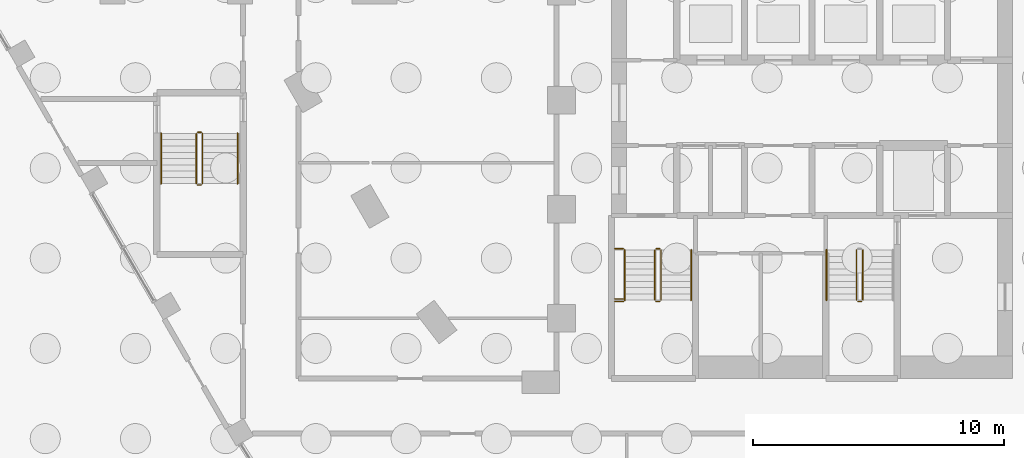
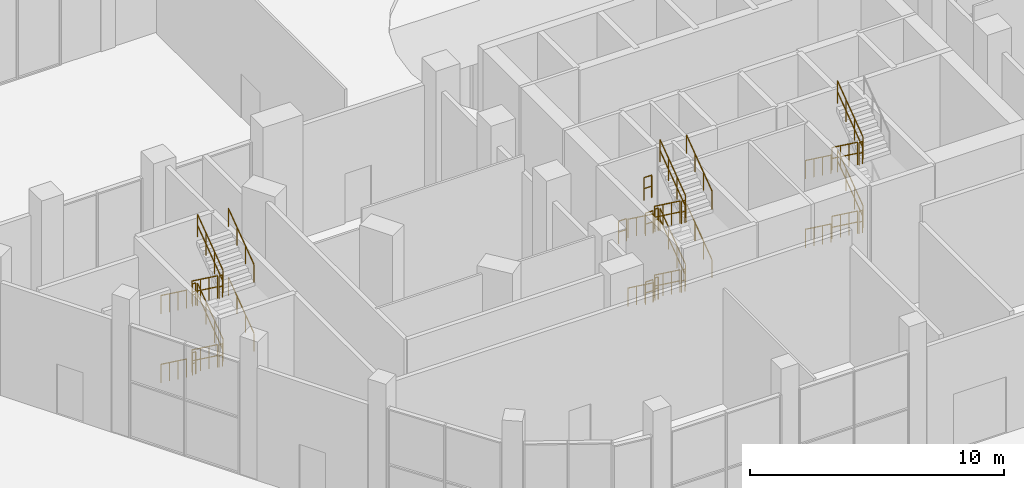
# One storey, part 38 of 44: 36 railings.
"""IFC4 building model written with IfcOpenShell, lengths in metres."""

import ifcopenshell
import ifcopenshell.guid

model = None  # the IFC model being written
_history = None  # IfcOwnerHistory: only IFC2X3 demands one
_inside = {}  # id of a spatial element -> (the spatial element, [elements in it])
_under = {}  # id of a project, library or spatial element -> (it, [spatial elements below it])
_declared = {}  # id of a project -> (the project, [libraries it declares])
_typed = {}  # id of a type object -> (the type object, [elements of that type])
_made_of = {}  # id of a material, layer set ... -> (it, [elements and type objects made of it])


def new_model(schema):
    """Start an empty IFC model of exactly this schema.

    Asked for "IFC4X3", IfcOpenShell would pick the latest addendum, in which some entities
    have other attributes; the version numbers below select the first issue.
    IFC2X3 requires an IfcOwnerHistory on every rooted entity: one is made here for all.
    """
    global model, _history
    if schema == "IFC4X3":
        model = ifcopenshell.file(schema_version=(4, 3, 0, 0))
    else:
        model = ifcopenshell.file(schema=schema)
    _inside.clear()
    _under.clear()
    _declared.clear()
    _typed.clear()
    _made_of.clear()
    _history = None
    if model.schema == "IFC2X3":
        org = make("IfcOrganization", Name="unknown")
        user = make(
            "IfcPersonAndOrganization",
            ThePerson=make("IfcPerson", FamilyName="unknown"),
            TheOrganization=org,
        )
        app = make(
            "IfcApplication",
            ApplicationDeveloper=org,
            Version="unknown",
            ApplicationFullName="unknown",
            ApplicationIdentifier="unknown",
        )
        _history = make(
            "IfcOwnerHistory",
            OwningUser=user,
            OwningApplication=app,
            ChangeAction="ADDED",
            CreationDate=0,
        )
    return model


def make(cls, **values):
    """One entity of the class cls with the attributes given. An attribute that is None is left unset."""
    return model.create_entity(
        cls, **{name: value for name, value in values.items() if value is not None}
    )


def rooted(cls, **values):
    """An entity with a GlobalId (a new one), such as an element, a storey or a relation."""
    return make(cls, GlobalId=ifcopenshell.guid.new(), OwnerHistory=_history, **values)


def si_unit(unit_type, name, prefix=None):
    """IfcSIUnit, for example si_unit("LENGTHUNIT", "METRE", prefix="MILLI")."""
    return make("IfcSIUnit", UnitType=unit_type, Prefix=prefix, Name=name)


def assignment(units):
    """IfcUnitAssignment: the units of a project."""
    return None if units is None else make("IfcUnitAssignment", Units=units)


def point(xyz):
    """IfcCartesianPoint."""
    return None if xyz is None else make("IfcCartesianPoint", Coordinates=xyz)


def direction(xyz):
    """IfcDirection."""
    return None if xyz is None else make("IfcDirection", DirectionRatios=xyz)


def frame(location, z_axis=None, x_axis=None):
    """IfcAxis2Placement3D, a coordinate frame: its origin and axes. An axis left out is left unset."""
    return make(
        "IfcAxis2Placement3D",
        Location=point(location),
        Axis=direction(z_axis),
        RefDirection=direction(x_axis),
    )


def frame_2d(location, x_axis=None):
    """IfcAxis2Placement2D, a coordinate frame in the plane: its origin and x axis."""
    return make(
        "IfcAxis2Placement2D", Location=point(location), RefDirection=direction(x_axis)
    )


def origin():
    """The frame at (0, 0, 0) with its axes left unset."""
    return frame((0.0, 0.0, 0.0))


def origin_2d():
    """The frame at (0, 0) in the plane with its x axis left unset."""
    return frame_2d((0.0, 0.0))


def place(relative_to, where):
    """IfcLocalPlacement: puts the frame where relative to a parent placement (None: the world)."""
    return make(
        "IfcLocalPlacement", PlacementRelTo=relative_to, RelativePlacement=where
    )


def context(
    kind, dimensions, precision=None, world=None, true_north=None, identifier=None
):
    """IfcGeometricRepresentationContext, for example the 3D "Model" context."""
    return make(
        "IfcGeometricRepresentationContext",
        ContextIdentifier=identifier,
        ContextType=kind,
        CoordinateSpaceDimension=dimensions,
        Precision=precision,
        WorldCoordinateSystem=world,
        TrueNorth=true_north,
    )


def subcontext(parent, identifier, kind, view, scale=None):
    """IfcGeometricRepresentationSubContext, for example "Body" below "Model"."""
    return make(
        "IfcGeometricRepresentationSubContext",
        ContextIdentifier=identifier,
        ContextType=kind,
        ParentContext=parent,
        TargetScale=scale,
        TargetView=view,
    )


def project(units=None, contexts=None):
    """IfcProject with its units and contexts."""
    return rooted(
        "IfcProject",
        Name="project",
        RepresentationContexts=contexts,
        UnitsInContext=assignment(units),
    )


def spatial(cls, under=None, at=None, **own):
    """A site, building, storey or space (cls), placed at a placement, below another one or the project."""
    s = rooted(cls, ObjectPlacement=at, **own)
    if under is not None:
        _under.setdefault(under.id(), (under, []))[1].append(s)
    return s


def profile(cls, at=None, kind="AREA", **sizes):
    """A parametric profile (cls). Its sizes go by their IFC names, for example OverallWidth=200.0."""
    return make(cls, ProfileType=kind, Position=at, **sizes)


def circle(**sizes):
    """IfcCircleProfileDef."""
    return profile("IfcCircleProfileDef", **sizes)


def extrude(swept, where, along, depth):
    """IfcExtrudedAreaSolid: the profile swept, set in the frame where, extruded along a direction by depth."""
    return make(
        "IfcExtrudedAreaSolid",
        SweptArea=swept,
        Position=where,
        ExtrudedDirection=direction(along),
        Depth=depth,
    )


def shape(context_of_items, identifier, shape_type, items):
    """IfcShapeRepresentation: the items that make up one representation, for example the "Body"."""
    return make(
        "IfcShapeRepresentation",
        ContextOfItems=context_of_items,
        RepresentationIdentifier=identifier,
        RepresentationType=shape_type,
        Items=items,
    )


def material(Name=None, Category=None):
    """IfcMaterial."""
    return make("IfcMaterial", Name=Name, Category=Category)


def made_of(thing, what):
    """Note that an element or type object is made of a material, layer set ...; save() writes the relation."""
    if what is not None:
        _made_of.setdefault(what.id(), (what, []))[1].append(thing)
    return thing


def type_object(cls, material=None, **own):
    """A type object (cls), such as IfcWallType, which elements share."""
    return made_of(rooted(cls, **own), material)


def element(
    cls,
    number,
    at=None,
    inside=None,
    cuts=None,
    type_object=None,
    material=None,
    context=None,
    identifier="Body",
    shape_type=None,
    held_by="IfcProductDefinitionShape",
    body=None,
    shapes=None,
    **own,
):
    """One element of the class cls, such as IfcWall. Its Tag is "e" and its number.

    at: its placement. inside: the storey or other place that contains it. cuts: it is an
    opening in that element (IfcRelVoidsElement). A single representation is given by context,
    identifier, shape_type and body (its items); several are given by shapes. held_by: the class
    of the entity that holds the representations. save() writes the other relations.
    """
    e = rooted(cls, Tag="e%d" % number, ObjectPlacement=at, **own)
    if body is not None:
        shapes = [shape(context, identifier, shape_type, body)]
    if shapes is not None:
        e.Representation = make(held_by, Representations=shapes)
    if inside is not None:
        _inside.setdefault(inside.id(), (inside, []))[1].append(e)
    if cuts is not None:
        rooted(
            "IfcRelVoidsElement", RelatingBuildingElement=cuts, RelatedOpeningElement=e
        )
    if type_object is not None:
        _typed.setdefault(type_object.id(), (type_object, []))[1].append(e)
    return made_of(e, material)


def aggregate(whole, parts):
    """IfcRelAggregates: a whole, such as a stair, and the parts it consists of."""
    return rooted("IfcRelAggregates", RelatingObject=whole, RelatedObjects=parts)


def save(model, path):
    """Write the relations noted so far, then the file.

    IfcRelAggregates (storeys below a building ...), IfcRelContainedInSpatialStructure (elements
    in a storey), IfcRelDefinesByType, IfcRelAssociatesMaterial and IfcRelDeclares: one each for
    every whole, place, type object, material and project.
    """
    for whole, parts in _under.values():
        aggregate(whole, parts)
    for where, things in _inside.values():
        rooted(
            "IfcRelContainedInSpatialStructure",
            RelatedElements=things,
            RelatingStructure=where,
        )
    for kind, things in _typed.values():
        rooted("IfcRelDefinesByType", RelatedObjects=things, RelatingType=kind)
    for what, things in _made_of.values():
        rooted("IfcRelAssociatesMaterial", RelatedObjects=things, RelatingMaterial=what)
    for by, libraries in _declared.values():
        rooted("IfcRelDeclares", RelatingContext=by, RelatedDefinitions=libraries)
    model.write(path)


model = new_model("IFC4")

# Units and contexts
model_context = context("Model", 3, precision=1e-05, world=origin(), true_north=direction((0.0, 1.0)))
body_context = subcontext(model_context, "Body", "Model", "MODEL_VIEW")
ifc_project = project(units=[si_unit("LENGTHUNIT", "METRE"), si_unit("AREAUNIT", "SQUARE_METRE"), si_unit("VOLUMEUNIT", "CUBIC_METRE"), si_unit("PLANEANGLEUNIT", "RADIAN"), si_unit("MASSUNIT", "GRAM", prefix="KILO")], contexts=[model_context])

# Site, building, storey
site_placement = place(None, origin())
site = spatial("IfcSite", under=ifc_project, at=site_placement, CompositionType="ELEMENT")
building_placement = place(site_placement, origin())
building = spatial("IfcBuilding", under=site, at=building_placement, Name="Nakaniwa Court", CompositionType="ELEMENT")
storey_placement = place(building_placement, origin())
storey = spatial("IfcBuildingStorey", under=building, at=storey_placement, Name="L00", CompositionType="ELEMENT", Elevation=0.0)

# Railings
ifc_material_1 = material(Name="Black powder coated steel guard", Category="steel")
railing_type_1 = type_object("IfcRailingType", Name="Stair guard 1100", PredefinedType="GUARDRAIL", material=ifc_material_1)
railing_1_placement = place(storey_placement, frame((73.72509765625, 61.72509765625, 0.183349609375)))
element("IfcRailing", 1, at=railing_1_placement, inside=storey, type_object=railing_type_1, Name="L00 ST3 stair guard 1", PredefinedType="GUARDRAIL", context=body_context, shape_type="SweptSolid", body=[
    extrude(circle(Radius=0.02392578125, at=origin_2d()), frame((0.0, 0.0, 1.076171875), z_axis=(0.0, -0.806426902644, 0.591333789573), x_axis=(1.0, 0.0, 0.0)), (0.0, 0.0, 1.0), 2.47998046875),
    extrude(circle(Radius=0.02392578125, at=origin_2d()), frame((0.0, 0.0, 0.550048828125), z_axis=(0.0, -0.806426902644, 0.591333789573), x_axis=(1.0, 0.0, 0.0)), (0.0, 0.0, 1.0), 2.47998046875),
    extrude(circle(Radius=0.02099609375, at=origin_2d()), origin(), (0.0, 0.0, 1.0), 1.052001953125),
    extrude(circle(Radius=0.02099609375, at=origin_2d()), frame((0.0, -0.666748046875, 0.48876953125)), (0.0, 0.0, 1.0), 1.052001953125),
    extrude(circle(Radius=0.02099609375, at=origin_2d()), frame((0.0, -1.333251953125, 0.977783203125)), (0.0, 0.0, 1.0), 1.052001953125),
    extrude(circle(Radius=0.02099609375, at=origin_2d()), frame((0.0, -2.0, 1.466552734375)), (0.0, 0.0, 1.0), 1.052001953125),
])
railing_2_placement = place(storey_placement, frame((73.77490234375, 59.675048828125, 1.64990234375)))
element("IfcRailing", 2, at=railing_2_placement, inside=storey, type_object=railing_type_1, Name="L00 ST3 stair guard 2", PredefinedType="GUARDRAIL", context=body_context, shape_type="SweptSolid", body=[
    extrude(circle(Radius=0.02392578125, at=origin_2d()), frame((0.0, 0.0, 1.076171875), z_axis=(1.0, 0.0, 0.0), x_axis=(0.0, 1.0, 0.0)), (0.0, 0.0, 1.0), 0.150146484375),
    extrude(circle(Radius=0.02392578125, at=origin_2d()), frame((0.0, 0.0, 0.550048828125), z_axis=(1.0, 0.0, 0.0), x_axis=(0.0, 1.0, 0.0)), (0.0, 0.0, 1.0), 0.150146484375),
    extrude(circle(Radius=0.02099609375, at=origin_2d()), origin(), (0.0, 0.0, 1.0), 1.052001953125),
    extrude(circle(Radius=0.02099609375, at=origin_2d()), frame((0.150146484375, 0.0, 0.0)), (0.0, 0.0, 1.0), 1.052001953125),
])
railing_3_placement = place(storey_placement, frame((73.97509765625, 59.72509765625, 1.833251953125)))
element("IfcRailing", 3, at=railing_3_placement, inside=storey, type_object=railing_type_1, Name="L00 ST3 stair guard 3", PredefinedType="GUARDRAIL", context=body_context, shape_type="SweptSolid", body=[
    extrude(circle(Radius=0.02392578125, at=origin_2d()), frame((0.0, 0.0, 1.076171875), z_axis=(0.0, 0.806379959628, 0.591397802423), x_axis=(-1.0, 0.0, 0.0)), (0.0, 0.0, 1.0), 2.480224609375),
    extrude(circle(Radius=0.02392578125, at=origin_2d()), frame((0.0, 0.0, 0.550048828125), z_axis=(0.0, 0.806379959628, 0.591397802423), x_axis=(-1.0, 0.0, 0.0)), (0.0, 0.0, 1.0), 2.480224609375),
    extrude(circle(Radius=0.02099609375, at=origin_2d()), origin(), (0.0, 0.0, 1.0), 1.052001953125),
    extrude(circle(Radius=0.02099609375, at=origin_2d()), frame((0.0, 0.666748046875, 0.489013671875)), (0.0, 0.0, 1.0), 1.052001953125),
    extrude(circle(Radius=0.02099609375, at=origin_2d()), frame((0.0, 1.333251953125, 0.977783203125)), (0.0, 0.0, 1.0), 1.052001953125),
    extrude(circle(Radius=0.02099609375, at=origin_2d()), frame((0.0, 2.0, 1.466796875)), (0.0, 0.0, 1.0), 1.052001953125),
])
railing_4_placement = place(storey_placement, frame((73.77490234375, 61.77490234375, 3.300048828125)))
element("IfcRailing", 4, at=railing_4_placement, inside=storey, type_object=railing_type_1, Name="L00 ST3 stair guard 4", PredefinedType="GUARDRAIL", context=body_context, shape_type="SweptSolid", body=[
    extrude(circle(Radius=0.02392578125, at=origin_2d()), frame((0.0, 0.0, 1.076171875), z_axis=(1.0, 0.0, 0.0), x_axis=(0.0, 1.0, 0.0)), (0.0, 0.0, 1.0), 0.150146484375),
    extrude(circle(Radius=0.02392578125, at=origin_2d()), frame((0.0, 0.0, 0.550048828125), z_axis=(1.0, 0.0, 0.0), x_axis=(0.0, 1.0, 0.0)), (0.0, 0.0, 1.0), 0.150146484375),
    extrude(circle(Radius=0.02099609375, at=origin_2d()), origin(), (0.0, 0.0, 1.0), 1.052001953125),
    extrude(circle(Radius=0.02099609375, at=origin_2d()), frame((0.150146484375, 0.0, 0.0)), (0.0, 0.0, 1.0), 1.052001953125),
])
railing_5_placement = place(storey_placement, frame((73.72509765625, 61.72509765625, 3.4833984375)))
element("IfcRailing", 5, at=railing_5_placement, inside=storey, type_object=railing_type_1, Name="L00 ST3 stair guard 5", PredefinedType="GUARDRAIL", context=body_context, shape_type="SweptSolid", body=[
    extrude(circle(Radius=0.02392578125, at=origin_2d()), frame((0.0, 0.0, 1.076171875), z_axis=(0.0, -0.806426902644, 0.591333789573), x_axis=(1.0, 0.0, 0.0)), (0.0, 0.0, 1.0), 2.47998046875),
    extrude(circle(Radius=0.02392578125, at=origin_2d()), frame((0.0, 0.0, 0.550048828125), z_axis=(0.0, -0.806426902644, 0.591333789573), x_axis=(1.0, 0.0, 0.0)), (0.0, 0.0, 1.0), 2.47998046875),
    extrude(circle(Radius=0.02099609375, at=origin_2d()), origin(), (0.0, 0.0, 1.0), 1.052001953125),
    extrude(circle(Radius=0.02099609375, at=origin_2d()), frame((0.0, -0.666748046875, 0.48876953125)), (0.0, 0.0, 1.0), 1.052001953125),
    extrude(circle(Radius=0.02099609375, at=origin_2d()), frame((0.0, -1.333251953125, 0.977783203125)), (0.0, 0.0, 1.0), 1.052001953125),
    extrude(circle(Radius=0.02099609375, at=origin_2d()), frame((0.0, -2.0, 1.466552734375)), (0.0, 0.0, 1.0), 1.052001953125),
])
railing_6_placement = place(storey_placement, frame((73.77490234375, 59.675048828125, 4.949951171875)))
element("IfcRailing", 6, at=railing_6_placement, inside=storey, type_object=railing_type_1, Name="L00 ST3 stair guard 6", PredefinedType="GUARDRAIL", context=body_context, shape_type="SweptSolid", body=[
    extrude(circle(Radius=0.02392578125, at=origin_2d()), frame((0.0, 0.0, 1.076171875), z_axis=(1.0, 0.0, 0.0), x_axis=(0.0, 1.0, 0.0)), (0.0, 0.0, 1.0), 0.150146484375),
    extrude(circle(Radius=0.02392578125, at=origin_2d()), frame((0.0, 0.0, 0.550048828125), z_axis=(1.0, 0.0, 0.0), x_axis=(0.0, 1.0, 0.0)), (0.0, 0.0, 1.0), 0.150146484375),
    extrude(circle(Radius=0.02099609375, at=origin_2d()), origin(), (0.0, 0.0, 1.0), 1.052001953125),
    extrude(circle(Radius=0.02099609375, at=origin_2d()), frame((0.150146484375, 0.0, 0.0)), (0.0, 0.0, 1.0), 1.052001953125),
])
railing_7_placement = place(storey_placement, frame((73.97509765625, 59.72509765625, 5.13330078125)))
element("IfcRailing", 7, at=railing_7_placement, inside=storey, type_object=railing_type_1, Name="L00 ST3 stair guard 7", PredefinedType="GUARDRAIL", context=body_context, shape_type="SweptSolid", body=[
    extrude(circle(Radius=0.02392578125, at=origin_2d()), frame((0.0, 0.0, 1.076171875), z_axis=(0.0, 0.806379959628, 0.591397802423), x_axis=(-1.0, 0.0, 0.0)), (0.0, 0.0, 1.0), 2.480224609375),
    extrude(circle(Radius=0.02392578125, at=origin_2d()), frame((0.0, 0.0, 0.550048828125), z_axis=(0.0, 0.806379959628, 0.591397802423), x_axis=(-1.0, 0.0, 0.0)), (0.0, 0.0, 1.0), 2.480224609375),
    extrude(circle(Radius=0.02099609375, at=origin_2d()), origin(), (0.0, 0.0, 1.0), 1.052001953125),
    extrude(circle(Radius=0.02099609375, at=origin_2d()), frame((0.0, 0.666748046875, 0.489013671875)), (0.0, 0.0, 1.0), 1.052001953125),
    extrude(circle(Radius=0.02099609375, at=origin_2d()), frame((0.0, 1.333251953125, 0.977783203125)), (0.0, 0.0, 1.0), 1.052001953125),
    extrude(circle(Radius=0.02099609375, at=origin_2d()), frame((0.0, 2.0, 1.466796875)), (0.0, 0.0, 1.0), 1.052001953125),
])
railing_8_placement = place(storey_placement, frame((73.77490234375, 61.77490234375, 0.0)))
element("IfcRailing", 8, at=railing_8_placement, inside=storey, type_object=railing_type_1, Name="L00 ST3 stair guard 8", PredefinedType="GUARDRAIL", context=body_context, shape_type="SweptSolid", body=[
    extrude(circle(Radius=0.02392578125, at=origin_2d()), frame((0.0, 0.0, 1.076171875), z_axis=(1.0, 0.0, 0.0), x_axis=(0.0, 1.0, 0.0)), (0.0, 0.0, 1.0), 0.150146484375),
    extrude(circle(Radius=0.02392578125, at=origin_2d()), frame((0.0, 0.0, 0.550048828125), z_axis=(1.0, 0.0, 0.0), x_axis=(0.0, 1.0, 0.0)), (0.0, 0.0, 1.0), 0.150146484375),
    extrude(circle(Radius=0.02099609375, at=origin_2d()), origin(), (0.0, 0.0, 1.0), 1.052001953125),
    extrude(circle(Radius=0.02099609375, at=origin_2d()), frame((0.150146484375, 0.0, 0.0)), (0.0, 0.0, 1.0), 1.052001953125),
])
for number, where, name in (
    (9, (72.125, 59.675048828125, 1.64990234375), "L00 ST3 landing side guard 1W"),
    (10, (72.125, 61.77490234375, 3.300048828125), "L00 ST3 landing side guard 2W"),
    (11, (72.125, 59.675048828125, 4.949951171875), "L00 ST3 landing side guard 3W"),
    (12, (72.125, 59.77490234375, 6.60009765625), "L00 ST3 floor edge guard 3W"),
):
    element("IfcRailing", number, at=place(storey_placement, frame(where)), inside=storey, type_object=railing_type_1, Name=name, PredefinedType="GUARDRAIL", context=body_context, shape_type="SweptSolid", body=[
        extrude(circle(Radius=0.02392578125, at=origin_2d()), frame((0.0, 0.0, 1.076171875), z_axis=(1.0, 0.0, 0.0), x_axis=(0.0, 1.0, 0.0)), (0.0, 0.0, 1.0), 0.35009765625),
        extrude(circle(Radius=0.02392578125, at=origin_2d()), frame((0.0, 0.0, 0.550048828125), z_axis=(1.0, 0.0, 0.0), x_axis=(0.0, 1.0, 0.0)), (0.0, 0.0, 1.0), 0.35009765625),
        extrude(circle(Radius=0.02099609375, at=origin_2d()), origin(), (0.0, 0.0, 1.0), 1.052001953125),
        extrude(circle(Radius=0.02099609375, at=origin_2d()), frame((0.35009765625, 0.0, 0.0)), (0.0, 0.0, 1.0), 1.052001953125),
    ])
railing_9_placement = place(storey_placement, frame((81.77490234375, 61.72509765625, 0.183349609375)))
element("IfcRailing", 13, at=railing_9_placement, inside=storey, type_object=railing_type_1, Name="L00 ST4 stair guard 1", PredefinedType="GUARDRAIL", context=body_context, shape_type="SweptSolid", body=[
    extrude(circle(Radius=0.02392578125, at=origin_2d()), frame((0.0, 0.0, 1.076171875), z_axis=(0.0, -0.806426902644, 0.591333789573), x_axis=(1.0, 0.0, 0.0)), (0.0, 0.0, 1.0), 2.47998046875),
    extrude(circle(Radius=0.02392578125, at=origin_2d()), frame((0.0, 0.0, 0.550048828125), z_axis=(0.0, -0.806426902644, 0.591333789573), x_axis=(1.0, 0.0, 0.0)), (0.0, 0.0, 1.0), 2.47998046875),
    extrude(circle(Radius=0.02099609375, at=origin_2d()), origin(), (0.0, 0.0, 1.0), 1.052001953125),
    extrude(circle(Radius=0.02099609375, at=origin_2d()), frame((0.0, -0.666748046875, 0.48876953125)), (0.0, 0.0, 1.0), 1.052001953125),
    extrude(circle(Radius=0.02099609375, at=origin_2d()), frame((0.0, -1.333251953125, 0.977783203125)), (0.0, 0.0, 1.0), 1.052001953125),
    extrude(circle(Radius=0.02099609375, at=origin_2d()), frame((0.0, -2.0, 1.466552734375)), (0.0, 0.0, 1.0), 1.052001953125),
])
railing_10_placement = place(storey_placement, frame((81.824951171875, 59.675048828125, 1.64990234375)))
element("IfcRailing", 14, at=railing_10_placement, inside=storey, type_object=railing_type_1, Name="L00 ST4 stair guard 2", PredefinedType="GUARDRAIL", context=body_context, shape_type="SweptSolid", body=[
    extrude(circle(Radius=0.02392578125, at=origin_2d()), frame((0.0, 0.0, 1.076171875), z_axis=(1.0, 0.0, 0.0), x_axis=(0.0, 1.0, 0.0)), (0.0, 0.0, 1.0), 0.150146484375),
    extrude(circle(Radius=0.02392578125, at=origin_2d()), frame((0.0, 0.0, 0.550048828125), z_axis=(1.0, 0.0, 0.0), x_axis=(0.0, 1.0, 0.0)), (0.0, 0.0, 1.0), 0.150146484375),
    extrude(circle(Radius=0.02099609375, at=origin_2d()), origin(), (0.0, 0.0, 1.0), 1.052001953125),
    extrude(circle(Radius=0.02099609375, at=origin_2d()), frame((0.150146484375, 0.0, 0.0)), (0.0, 0.0, 1.0), 1.052001953125),
])
railing_11_placement = place(storey_placement, frame((82.02490234375, 59.72509765625, 1.833251953125)))
element("IfcRailing", 15, at=railing_11_placement, inside=storey, type_object=railing_type_1, Name="L00 ST4 stair guard 3", PredefinedType="GUARDRAIL", context=body_context, shape_type="SweptSolid", body=[
    extrude(circle(Radius=0.02392578125, at=origin_2d()), frame((0.0, 0.0, 1.076171875), z_axis=(0.0, 0.806379959628, 0.591397802423), x_axis=(-1.0, 0.0, 0.0)), (0.0, 0.0, 1.0), 2.480224609375),
    extrude(circle(Radius=0.02392578125, at=origin_2d()), frame((0.0, 0.0, 0.550048828125), z_axis=(0.0, 0.806379959628, 0.591397802423), x_axis=(-1.0, 0.0, 0.0)), (0.0, 0.0, 1.0), 2.480224609375),
    extrude(circle(Radius=0.02099609375, at=origin_2d()), origin(), (0.0, 0.0, 1.0), 1.052001953125),
    extrude(circle(Radius=0.02099609375, at=origin_2d()), frame((0.0, 0.666748046875, 0.489013671875)), (0.0, 0.0, 1.0), 1.052001953125),
    extrude(circle(Radius=0.02099609375, at=origin_2d()), frame((0.0, 1.333251953125, 0.977783203125)), (0.0, 0.0, 1.0), 1.052001953125),
    extrude(circle(Radius=0.02099609375, at=origin_2d()), frame((0.0, 2.0, 1.466796875)), (0.0, 0.0, 1.0), 1.052001953125),
])
railing_12_placement = place(storey_placement, frame((81.77490234375, 61.72509765625, 3.4833984375)))
element("IfcRailing", 16, at=railing_12_placement, inside=storey, type_object=railing_type_1, Name="L00 ST4 stair guard 5", PredefinedType="GUARDRAIL", context=body_context, shape_type="SweptSolid", body=[
    extrude(circle(Radius=0.02392578125, at=origin_2d()), frame((0.0, 0.0, 1.076171875), z_axis=(0.0, -0.806426902644, 0.591333789573), x_axis=(1.0, 0.0, 0.0)), (0.0, 0.0, 1.0), 2.47998046875),
    extrude(circle(Radius=0.02392578125, at=origin_2d()), frame((0.0, 0.0, 0.550048828125), z_axis=(0.0, -0.806426902644, 0.591333789573), x_axis=(1.0, 0.0, 0.0)), (0.0, 0.0, 1.0), 2.47998046875),
    extrude(circle(Radius=0.02099609375, at=origin_2d()), origin(), (0.0, 0.0, 1.0), 1.052001953125),
    extrude(circle(Radius=0.02099609375, at=origin_2d()), frame((0.0, -0.666748046875, 0.48876953125)), (0.0, 0.0, 1.0), 1.052001953125),
    extrude(circle(Radius=0.02099609375, at=origin_2d()), frame((0.0, -1.333251953125, 0.977783203125)), (0.0, 0.0, 1.0), 1.052001953125),
    extrude(circle(Radius=0.02099609375, at=origin_2d()), frame((0.0, -2.0, 1.466552734375)), (0.0, 0.0, 1.0), 1.052001953125),
])
railing_13_placement = place(storey_placement, frame((81.824951171875, 59.675048828125, 4.949951171875)))
element("IfcRailing", 17, at=railing_13_placement, inside=storey, type_object=railing_type_1, Name="L00 ST4 stair guard 6", PredefinedType="GUARDRAIL", context=body_context, shape_type="SweptSolid", body=[
    extrude(circle(Radius=0.02392578125, at=origin_2d()), frame((0.0, 0.0, 1.076171875), z_axis=(1.0, 0.0, 0.0), x_axis=(0.0, 1.0, 0.0)), (0.0, 0.0, 1.0), 0.150146484375),
    extrude(circle(Radius=0.02392578125, at=origin_2d()), frame((0.0, 0.0, 0.550048828125), z_axis=(1.0, 0.0, 0.0), x_axis=(0.0, 1.0, 0.0)), (0.0, 0.0, 1.0), 0.150146484375),
    extrude(circle(Radius=0.02099609375, at=origin_2d()), origin(), (0.0, 0.0, 1.0), 1.052001953125),
    extrude(circle(Radius=0.02099609375, at=origin_2d()), frame((0.150146484375, 0.0, 0.0)), (0.0, 0.0, 1.0), 1.052001953125),
])
railing_14_placement = place(storey_placement, frame((82.02490234375, 59.72509765625, 5.13330078125)))
element("IfcRailing", 18, at=railing_14_placement, inside=storey, type_object=railing_type_1, Name="L00 ST4 stair guard 7", PredefinedType="GUARDRAIL", context=body_context, shape_type="SweptSolid", body=[
    extrude(circle(Radius=0.02392578125, at=origin_2d()), frame((0.0, 0.0, 1.076171875), z_axis=(0.0, 0.806379959628, 0.591397802423), x_axis=(-1.0, 0.0, 0.0)), (0.0, 0.0, 1.0), 2.480224609375),
    extrude(circle(Radius=0.02392578125, at=origin_2d()), frame((0.0, 0.0, 0.550048828125), z_axis=(0.0, 0.806379959628, 0.591397802423), x_axis=(-1.0, 0.0, 0.0)), (0.0, 0.0, 1.0), 2.480224609375),
    extrude(circle(Radius=0.02099609375, at=origin_2d()), origin(), (0.0, 0.0, 1.0), 1.052001953125),
    extrude(circle(Radius=0.02099609375, at=origin_2d()), frame((0.0, 0.666748046875, 0.489013671875)), (0.0, 0.0, 1.0), 1.052001953125),
    extrude(circle(Radius=0.02099609375, at=origin_2d()), frame((0.0, 1.333251953125, 0.977783203125)), (0.0, 0.0, 1.0), 1.052001953125),
    extrude(circle(Radius=0.02099609375, at=origin_2d()), frame((0.0, 2.0, 1.466796875)), (0.0, 0.0, 1.0), 1.052001953125),
])
railing_15_placement = place(storey_placement, frame((55.425048828125, 66.375, 0.183349609375)))
element("IfcRailing", 19, at=railing_15_placement, inside=storey, type_object=railing_type_1, Name="L00 SS4 stair guard 1", PredefinedType="GUARDRAIL", context=body_context, shape_type="SweptSolid", body=[
    extrude(circle(Radius=0.02392578125, at=origin_2d()), frame((0.0, 0.0, 1.076171875), z_axis=(0.0, -0.806426902644, 0.591333789573), x_axis=(1.0, 0.0, 0.0)), (0.0, 0.0, 1.0), 2.47998046875),
    extrude(circle(Radius=0.02392578125, at=origin_2d()), frame((0.0, 0.0, 0.550048828125), z_axis=(0.0, -0.806426902644, 0.591333789573), x_axis=(1.0, 0.0, 0.0)), (0.0, 0.0, 1.0), 2.47998046875),
    extrude(circle(Radius=0.02099609375, at=origin_2d()), origin(), (0.0, 0.0, 1.0), 1.052001953125),
    extrude(circle(Radius=0.02099609375, at=origin_2d()), frame((0.0, -0.666748046875, 0.48876953125)), (0.0, 0.0, 1.0), 1.052001953125),
    extrude(circle(Radius=0.02099609375, at=origin_2d()), frame((0.0, -1.333251953125, 0.977783203125)), (0.0, 0.0, 1.0), 1.052001953125),
    extrude(circle(Radius=0.02099609375, at=origin_2d()), frame((0.0, -2.0, 1.466552734375)), (0.0, 0.0, 1.0), 1.052001953125),
])
railing_16_placement = place(storey_placement, frame((55.47509765625, 64.324951171875, 1.64990234375)))
element("IfcRailing", 20, at=railing_16_placement, inside=storey, type_object=railing_type_1, Name="L00 SS4 stair guard 2", PredefinedType="GUARDRAIL", context=body_context, shape_type="SweptSolid", body=[
    extrude(circle(Radius=0.02392578125, at=origin_2d()), frame((0.0, 0.0, 1.076171875), z_axis=(1.0, 0.0, 0.0), x_axis=(0.0, 1.0, 0.0)), (0.0, 0.0, 1.0), 0.14990234375),
    extrude(circle(Radius=0.02392578125, at=origin_2d()), frame((0.0, 0.0, 0.550048828125), z_axis=(1.0, 0.0, 0.0), x_axis=(0.0, 1.0, 0.0)), (0.0, 0.0, 1.0), 0.14990234375),
    extrude(circle(Radius=0.02099609375, at=origin_2d()), origin(), (0.0, 0.0, 1.0), 1.052001953125),
    extrude(circle(Radius=0.02099609375, at=origin_2d()), frame((0.14990234375, 0.0, 0.0)), (0.0, 0.0, 1.0), 1.052001953125),
])
railing_17_placement = place(storey_placement, frame((55.675048828125, 64.375, 1.833251953125)))
element("IfcRailing", 21, at=railing_17_placement, inside=storey, type_object=railing_type_1, Name="L00 SS4 stair guard 3", PredefinedType="GUARDRAIL", context=body_context, shape_type="SweptSolid", body=[
    extrude(circle(Radius=0.02392578125, at=origin_2d()), frame((0.0, 0.0, 1.076171875), z_axis=(0.0, 0.806379959628, 0.591397802423), x_axis=(-1.0, 0.0, 0.0)), (0.0, 0.0, 1.0), 2.480224609375),
    extrude(circle(Radius=0.02392578125, at=origin_2d()), frame((0.0, 0.0, 0.550048828125), z_axis=(0.0, 0.806379959628, 0.591397802423), x_axis=(-1.0, 0.0, 0.0)), (0.0, 0.0, 1.0), 2.480224609375),
    extrude(circle(Radius=0.02099609375, at=origin_2d()), origin(), (0.0, 0.0, 1.0), 1.052001953125),
    extrude(circle(Radius=0.02099609375, at=origin_2d()), frame((0.0, 0.666748046875, 0.489013671875)), (0.0, 0.0, 1.0), 1.052001953125),
    extrude(circle(Radius=0.02099609375, at=origin_2d()), frame((0.0, 1.333251953125, 0.977783203125)), (0.0, 0.0, 1.0), 1.052001953125),
    extrude(circle(Radius=0.02099609375, at=origin_2d()), frame((0.0, 2.0, 1.466796875)), (0.0, 0.0, 1.0), 1.052001953125),
])
railing_18_placement = place(storey_placement, frame((55.47509765625, 66.425048828125, 3.300048828125)))
element("IfcRailing", 22, at=railing_18_placement, inside=storey, type_object=railing_type_1, Name="L00 SS4 stair guard 4", PredefinedType="GUARDRAIL", context=body_context, shape_type="SweptSolid", body=[
    extrude(circle(Radius=0.02392578125, at=origin_2d()), frame((0.0, 0.0, 1.076171875), z_axis=(1.0, 0.0, 0.0), x_axis=(0.0, 1.0, 0.0)), (0.0, 0.0, 1.0), 0.14990234375),
    extrude(circle(Radius=0.02392578125, at=origin_2d()), frame((0.0, 0.0, 0.550048828125), z_axis=(1.0, 0.0, 0.0), x_axis=(0.0, 1.0, 0.0)), (0.0, 0.0, 1.0), 0.14990234375),
    extrude(circle(Radius=0.02099609375, at=origin_2d()), origin(), (0.0, 0.0, 1.0), 1.052001953125),
    extrude(circle(Radius=0.02099609375, at=origin_2d()), frame((0.14990234375, 0.0, 0.0)), (0.0, 0.0, 1.0), 1.052001953125),
])
railing_19_placement = place(storey_placement, frame((55.425048828125, 66.375, 3.4833984375)))
element("IfcRailing", 23, at=railing_19_placement, inside=storey, type_object=railing_type_1, Name="L00 SS4 stair guard 5", PredefinedType="GUARDRAIL", context=body_context, shape_type="SweptSolid", body=[
    extrude(circle(Radius=0.02392578125, at=origin_2d()), frame((0.0, 0.0, 1.076171875), z_axis=(0.0, -0.806426902644, 0.591333789573), x_axis=(1.0, 0.0, 0.0)), (0.0, 0.0, 1.0), 2.47998046875),
    extrude(circle(Radius=0.02392578125, at=origin_2d()), frame((0.0, 0.0, 0.550048828125), z_axis=(0.0, -0.806426902644, 0.591333789573), x_axis=(1.0, 0.0, 0.0)), (0.0, 0.0, 1.0), 2.47998046875),
    extrude(circle(Radius=0.02099609375, at=origin_2d()), origin(), (0.0, 0.0, 1.0), 1.052001953125),
    extrude(circle(Radius=0.02099609375, at=origin_2d()), frame((0.0, -0.666748046875, 0.48876953125)), (0.0, 0.0, 1.0), 1.052001953125),
    extrude(circle(Radius=0.02099609375, at=origin_2d()), frame((0.0, -1.333251953125, 0.977783203125)), (0.0, 0.0, 1.0), 1.052001953125),
    extrude(circle(Radius=0.02099609375, at=origin_2d()), frame((0.0, -2.0, 1.466552734375)), (0.0, 0.0, 1.0), 1.052001953125),
])
railing_20_placement = place(storey_placement, frame((55.47509765625, 64.324951171875, 4.949951171875)))
element("IfcRailing", 24, at=railing_20_placement, inside=storey, type_object=railing_type_1, Name="L00 SS4 stair guard 6", PredefinedType="GUARDRAIL", context=body_context, shape_type="SweptSolid", body=[
    extrude(circle(Radius=0.02392578125, at=origin_2d()), frame((0.0, 0.0, 1.076171875), z_axis=(1.0, 0.0, 0.0), x_axis=(0.0, 1.0, 0.0)), (0.0, 0.0, 1.0), 0.14990234375),
    extrude(circle(Radius=0.02392578125, at=origin_2d()), frame((0.0, 0.0, 0.550048828125), z_axis=(1.0, 0.0, 0.0), x_axis=(0.0, 1.0, 0.0)), (0.0, 0.0, 1.0), 0.14990234375),
    extrude(circle(Radius=0.02099609375, at=origin_2d()), origin(), (0.0, 0.0, 1.0), 1.052001953125),
    extrude(circle(Radius=0.02099609375, at=origin_2d()), frame((0.14990234375, 0.0, 0.0)), (0.0, 0.0, 1.0), 1.052001953125),
])
railing_21_placement = place(storey_placement, frame((55.675048828125, 64.375, 5.13330078125)))
element("IfcRailing", 25, at=railing_21_placement, inside=storey, type_object=railing_type_1, Name="L00 SS4 stair guard 7", PredefinedType="GUARDRAIL", context=body_context, shape_type="SweptSolid", body=[
    extrude(circle(Radius=0.02392578125, at=origin_2d()), frame((0.0, 0.0, 1.076171875), z_axis=(0.0, 0.806379959628, 0.591397802423), x_axis=(-1.0, 0.0, 0.0)), (0.0, 0.0, 1.0), 2.480224609375),
    extrude(circle(Radius=0.02392578125, at=origin_2d()), frame((0.0, 0.0, 0.550048828125), z_axis=(0.0, 0.806379959628, 0.591397802423), x_axis=(-1.0, 0.0, 0.0)), (0.0, 0.0, 1.0), 2.480224609375),
    extrude(circle(Radius=0.02099609375, at=origin_2d()), origin(), (0.0, 0.0, 1.0), 1.052001953125),
    extrude(circle(Radius=0.02099609375, at=origin_2d()), frame((0.0, 0.666748046875, 0.489013671875)), (0.0, 0.0, 1.0), 1.052001953125),
    extrude(circle(Radius=0.02099609375, at=origin_2d()), frame((0.0, 1.333251953125, 0.977783203125)), (0.0, 0.0, 1.0), 1.052001953125),
    extrude(circle(Radius=0.02099609375, at=origin_2d()), frame((0.0, 2.0, 1.466796875)), (0.0, 0.0, 1.0), 1.052001953125),
])
railing_22_placement = place(storey_placement, frame((55.47509765625, 66.425048828125, 0.0)))
element("IfcRailing", 26, at=railing_22_placement, inside=storey, type_object=railing_type_1, Name="L00 SS4 stair guard 8", PredefinedType="GUARDRAIL", context=body_context, shape_type="SweptSolid", body=[
    extrude(circle(Radius=0.02392578125, at=origin_2d()), frame((0.0, 0.0, 1.076171875), z_axis=(1.0, 0.0, 0.0), x_axis=(0.0, 1.0, 0.0)), (0.0, 0.0, 1.0), 0.14990234375),
    extrude(circle(Radius=0.02392578125, at=origin_2d()), frame((0.0, 0.0, 0.550048828125), z_axis=(1.0, 0.0, 0.0), x_axis=(0.0, 1.0, 0.0)), (0.0, 0.0, 1.0), 0.14990234375),
    extrude(circle(Radius=0.02099609375, at=origin_2d()), origin(), (0.0, 0.0, 1.0), 1.052001953125),
    extrude(circle(Radius=0.02099609375, at=origin_2d()), frame((0.14990234375, 0.0, 0.0)), (0.0, 0.0, 1.0), 1.052001953125),
])
ifc_material_2 = material(Name="Black powder coated steel handrail", Category="steel")
railing_type_2 = type_object("IfcRailingType", Name="Stair handrail 900", PredefinedType="HANDRAIL", material=ifc_material_2)
railing_23_placement = place(storey_placement, frame((72.52490234375, 61.72509765625, 0.183349609375)))
element("IfcRailing", 27, at=railing_23_placement, inside=storey, type_object=railing_type_2, Name="L00 ST3 stair handrail 1", PredefinedType="HANDRAIL", context=body_context, shape_type="SweptSolid", body=[
    extrude(circle(Radius=0.02392578125, at=origin_2d()), frame((0.0, 0.0, 0.8759765625), z_axis=(0.0, -0.806426902644, 0.591333789573), x_axis=(1.0, 0.0, 0.0)), (0.0, 0.0, 1.0), 2.47998046875),
    extrude(circle(Radius=0.02099609375, at=origin_2d()), origin(), (0.0, 0.0, 1.0), 0.851806640625),
    extrude(circle(Radius=0.02099609375, at=origin_2d()), frame((0.0, -0.666748046875, 0.48876953125)), (0.0, 0.0, 1.0), 0.851806640625),
    extrude(circle(Radius=0.02099609375, at=origin_2d()), frame((0.0, -1.333251953125, 0.977783203125)), (0.0, 0.0, 1.0), 0.851806640625),
    extrude(circle(Radius=0.02099609375, at=origin_2d()), frame((0.0, -2.0, 1.466552734375)), (0.0, 0.0, 1.0), 0.851806640625),
])
railing_24_placement = place(storey_placement, frame((75.175048828125, 59.72509765625, 1.833251953125)))
element("IfcRailing", 28, at=railing_24_placement, inside=storey, type_object=railing_type_2, Name="L00 ST3 stair handrail 2", PredefinedType="HANDRAIL", context=body_context, shape_type="SweptSolid", body=[
    extrude(circle(Radius=0.02392578125, at=origin_2d()), frame((0.0, 0.0, 0.8759765625), z_axis=(0.0, 0.806379959628, 0.591397802423), x_axis=(-1.0, 0.0, 0.0)), (0.0, 0.0, 1.0), 2.480224609375),
    extrude(circle(Radius=0.02099609375, at=origin_2d()), origin(), (0.0, 0.0, 1.0), 0.851806640625),
    extrude(circle(Radius=0.02099609375, at=origin_2d()), frame((0.0, 0.666748046875, 0.489013671875)), (0.0, 0.0, 1.0), 0.851806640625),
    extrude(circle(Radius=0.02099609375, at=origin_2d()), frame((0.0, 1.333251953125, 0.977783203125)), (0.0, 0.0, 1.0), 0.851806640625),
    extrude(circle(Radius=0.02099609375, at=origin_2d()), frame((0.0, 2.0, 1.466796875)), (0.0, 0.0, 1.0), 0.851806640625),
])
railing_25_placement = place(storey_placement, frame((72.52490234375, 61.72509765625, 3.4833984375)))
element("IfcRailing", 29, at=railing_25_placement, inside=storey, type_object=railing_type_2, Name="L00 ST3 stair handrail 3", PredefinedType="HANDRAIL", context=body_context, shape_type="SweptSolid", body=[
    extrude(circle(Radius=0.02392578125, at=origin_2d()), frame((0.0, 0.0, 0.8759765625), z_axis=(0.0, -0.806426902644, 0.591333789573), x_axis=(1.0, 0.0, 0.0)), (0.0, 0.0, 1.0), 2.47998046875),
    extrude(circle(Radius=0.02099609375, at=origin_2d()), origin(), (0.0, 0.0, 1.0), 0.851806640625),
    extrude(circle(Radius=0.02099609375, at=origin_2d()), frame((0.0, -0.666748046875, 0.48876953125)), (0.0, 0.0, 1.0), 0.851806640625),
    extrude(circle(Radius=0.02099609375, at=origin_2d()), frame((0.0, -1.333251953125, 0.977783203125)), (0.0, 0.0, 1.0), 0.851806640625),
    extrude(circle(Radius=0.02099609375, at=origin_2d()), frame((0.0, -2.0, 1.466552734375)), (0.0, 0.0, 1.0), 0.851806640625),
])
railing_26_placement = place(storey_placement, frame((75.175048828125, 59.72509765625, 5.13330078125)))
element("IfcRailing", 30, at=railing_26_placement, inside=storey, type_object=railing_type_2, Name="L00 ST3 stair handrail 4", PredefinedType="HANDRAIL", context=body_context, shape_type="SweptSolid", body=[
    extrude(circle(Radius=0.02392578125, at=origin_2d()), frame((0.0, 0.0, 0.8759765625), z_axis=(0.0, 0.806379959628, 0.591397802423), x_axis=(-1.0, 0.0, 0.0)), (0.0, 0.0, 1.0), 2.480224609375),
    extrude(circle(Radius=0.02099609375, at=origin_2d()), origin(), (0.0, 0.0, 1.0), 0.851806640625),
    extrude(circle(Radius=0.02099609375, at=origin_2d()), frame((0.0, 0.666748046875, 0.489013671875)), (0.0, 0.0, 1.0), 0.851806640625),
    extrude(circle(Radius=0.02099609375, at=origin_2d()), frame((0.0, 1.333251953125, 0.977783203125)), (0.0, 0.0, 1.0), 0.851806640625),
    extrude(circle(Radius=0.02099609375, at=origin_2d()), frame((0.0, 2.0, 1.466796875)), (0.0, 0.0, 1.0), 0.851806640625),
])
for number, where, name in (
    (31, (80.574951171875, 61.72509765625, 0.183349609375), "L00 ST4 stair handrail 1"),
    (32, (80.574951171875, 61.72509765625, 3.4833984375), "L00 ST4 stair handrail 3"),
    (33, (54.02490234375, 66.375, 0.183349609375), "L00 SS4 stair handrail 1"),
):
    element("IfcRailing", number, at=place(storey_placement, frame(where)), inside=storey, type_object=railing_type_2, Name=name, PredefinedType="HANDRAIL", context=body_context, shape_type="SweptSolid", body=[
        extrude(circle(Radius=0.02392578125, at=origin_2d()), frame((0.0, 0.0, 0.8759765625), z_axis=(0.0, -0.806426902644, 0.591333789573), x_axis=(1.0, 0.0, 0.0)), (0.0, 0.0, 1.0), 2.47998046875),
        extrude(circle(Radius=0.02099609375, at=origin_2d()), origin(), (0.0, 0.0, 1.0), 0.851806640625),
        extrude(circle(Radius=0.02099609375, at=origin_2d()), frame((0.0, -0.666748046875, 0.48876953125)), (0.0, 0.0, 1.0), 0.851806640625),
        extrude(circle(Radius=0.02099609375, at=origin_2d()), frame((0.0, -1.333251953125, 0.977783203125)), (0.0, 0.0, 1.0), 0.851806640625),
        extrude(circle(Radius=0.02099609375, at=origin_2d()), frame((0.0, -2.0, 1.466552734375)), (0.0, 0.0, 1.0), 0.851806640625),
    ])
railing_27_placement = place(storey_placement, frame((57.074951171875, 64.375, 1.833251953125)))
element("IfcRailing", 34, at=railing_27_placement, inside=storey, type_object=railing_type_2, Name="L00 SS4 stair handrail 2", PredefinedType="HANDRAIL", context=body_context, shape_type="SweptSolid", body=[
    extrude(circle(Radius=0.02392578125, at=origin_2d()), frame((0.0, 0.0, 0.8759765625), z_axis=(0.0, 0.806379959628, 0.591397802423), x_axis=(-1.0, 0.0, 0.0)), (0.0, 0.0, 1.0), 2.480224609375),
    extrude(circle(Radius=0.02099609375, at=origin_2d()), origin(), (0.0, 0.0, 1.0), 0.851806640625),
    extrude(circle(Radius=0.02099609375, at=origin_2d()), frame((0.0, 0.666748046875, 0.489013671875)), (0.0, 0.0, 1.0), 0.851806640625),
    extrude(circle(Radius=0.02099609375, at=origin_2d()), frame((0.0, 1.333251953125, 0.977783203125)), (0.0, 0.0, 1.0), 0.851806640625),
    extrude(circle(Radius=0.02099609375, at=origin_2d()), frame((0.0, 2.0, 1.466796875)), (0.0, 0.0, 1.0), 0.851806640625),
])
railing_28_placement = place(storey_placement, frame((54.02490234375, 66.375, 3.4833984375)))
element("IfcRailing", 35, at=railing_28_placement, inside=storey, type_object=railing_type_2, Name="L00 SS4 stair handrail 3", PredefinedType="HANDRAIL", context=body_context, shape_type="SweptSolid", body=[
    extrude(circle(Radius=0.02392578125, at=origin_2d()), frame((0.0, 0.0, 0.8759765625), z_axis=(0.0, -0.806426902644, 0.591333789573), x_axis=(1.0, 0.0, 0.0)), (0.0, 0.0, 1.0), 2.47998046875),
    extrude(circle(Radius=0.02099609375, at=origin_2d()), origin(), (0.0, 0.0, 1.0), 0.851806640625),
    extrude(circle(Radius=0.02099609375, at=origin_2d()), frame((0.0, -0.666748046875, 0.48876953125)), (0.0, 0.0, 1.0), 0.851806640625),
    extrude(circle(Radius=0.02099609375, at=origin_2d()), frame((0.0, -1.333251953125, 0.977783203125)), (0.0, 0.0, 1.0), 0.851806640625),
    extrude(circle(Radius=0.02099609375, at=origin_2d()), frame((0.0, -2.0, 1.466552734375)), (0.0, 0.0, 1.0), 0.851806640625),
])
railing_29_placement = place(storey_placement, frame((57.074951171875, 64.375, 5.13330078125)))
element("IfcRailing", 36, at=railing_29_placement, inside=storey, type_object=railing_type_2, Name="L00 SS4 stair handrail 4", PredefinedType="HANDRAIL", context=body_context, shape_type="SweptSolid", body=[
    extrude(circle(Radius=0.02392578125, at=origin_2d()), frame((0.0, 0.0, 0.8759765625), z_axis=(0.0, 0.806379959628, 0.591397802423), x_axis=(-1.0, 0.0, 0.0)), (0.0, 0.0, 1.0), 2.480224609375),
    extrude(circle(Radius=0.02099609375, at=origin_2d()), origin(), (0.0, 0.0, 1.0), 0.851806640625),
    extrude(circle(Radius=0.02099609375, at=origin_2d()), frame((0.0, 0.666748046875, 0.489013671875)), (0.0, 0.0, 1.0), 0.851806640625),
    extrude(circle(Radius=0.02099609375, at=origin_2d()), frame((0.0, 1.333251953125, 0.977783203125)), (0.0, 0.0, 1.0), 0.851806640625),
    extrude(circle(Radius=0.02099609375, at=origin_2d()), frame((0.0, 2.0, 1.466796875)), (0.0, 0.0, 1.0), 0.851806640625),
])

save(model, "model.ifc")
